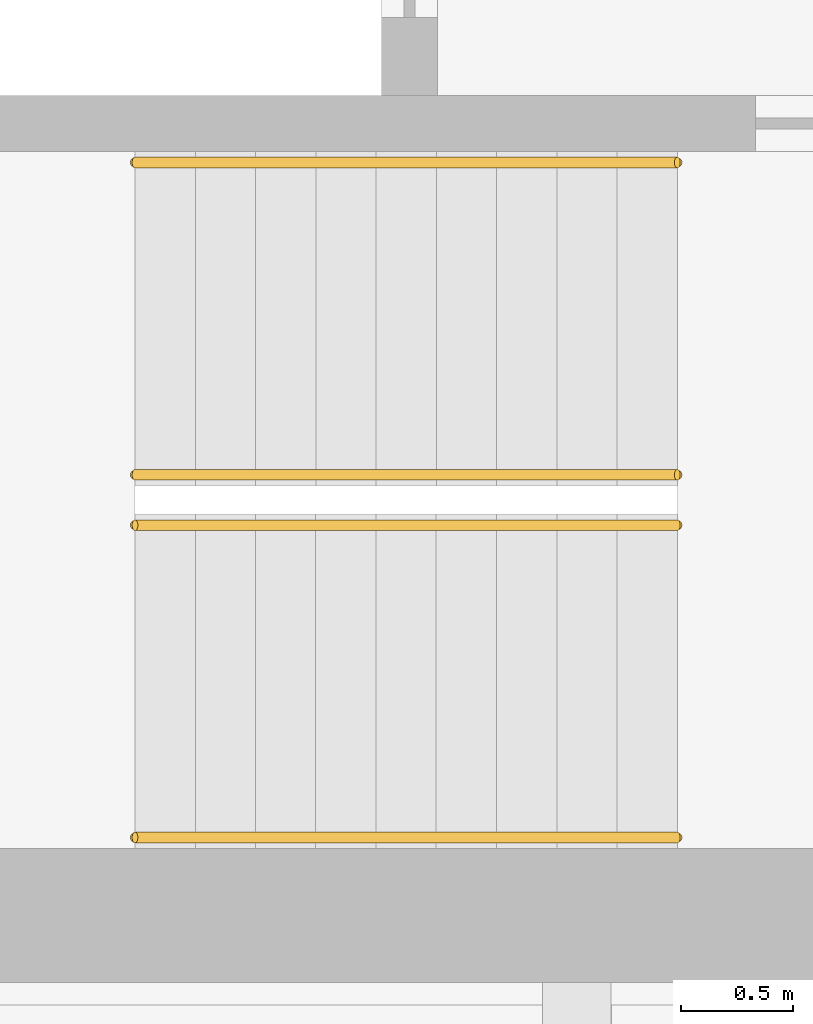
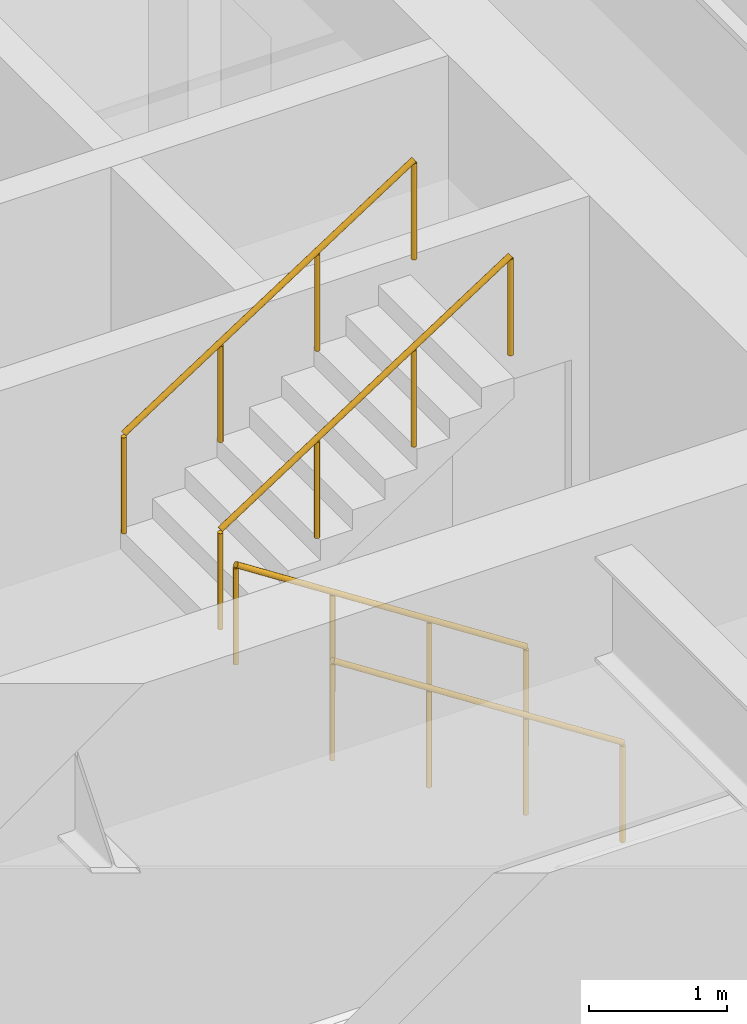
# One storey, part 17 of 21: 4 railings.
"""IFC4 building model written with IfcOpenShell, lengths in metres."""

import ifcopenshell
import ifcopenshell.guid

model = None  # the IFC model being written
_history = None  # IfcOwnerHistory: only IFC2X3 demands one
_inside = {}  # id of a spatial element -> (the spatial element, [elements in it])
_under = {}  # id of a project, library or spatial element -> (it, [spatial elements below it])
_declared = {}  # id of a project -> (the project, [libraries it declares])
_typed = {}  # id of a type object -> (the type object, [elements of that type])
_made_of = {}  # id of a material, layer set ... -> (it, [elements and type objects made of it])


def new_model(schema):
    """Start an empty IFC model of exactly this schema.

    Asked for "IFC4X3", IfcOpenShell would pick the latest addendum, in which some entities
    have other attributes; the version numbers below select the first issue.
    IFC2X3 requires an IfcOwnerHistory on every rooted entity: one is made here for all.
    """
    global model, _history
    if schema == "IFC4X3":
        model = ifcopenshell.file(schema_version=(4, 3, 0, 0))
    else:
        model = ifcopenshell.file(schema=schema)
    _inside.clear()
    _under.clear()
    _declared.clear()
    _typed.clear()
    _made_of.clear()
    _history = None
    if model.schema == "IFC2X3":
        org = make("IfcOrganization", Name="unknown")
        user = make(
            "IfcPersonAndOrganization",
            ThePerson=make("IfcPerson", FamilyName="unknown"),
            TheOrganization=org,
        )
        app = make(
            "IfcApplication",
            ApplicationDeveloper=org,
            Version="unknown",
            ApplicationFullName="unknown",
            ApplicationIdentifier="unknown",
        )
        _history = make(
            "IfcOwnerHistory",
            OwningUser=user,
            OwningApplication=app,
            ChangeAction="ADDED",
            CreationDate=0,
        )
    return model


def make(cls, **values):
    """One entity of the class cls with the attributes given. An attribute that is None is left unset."""
    return model.create_entity(
        cls, **{name: value for name, value in values.items() if value is not None}
    )


def rooted(cls, **values):
    """An entity with a GlobalId (a new one), such as an element, a storey or a relation."""
    return make(cls, GlobalId=ifcopenshell.guid.new(), OwnerHistory=_history, **values)


def si_unit(unit_type, name, prefix=None):
    """IfcSIUnit, for example si_unit("LENGTHUNIT", "METRE", prefix="MILLI")."""
    return make("IfcSIUnit", UnitType=unit_type, Prefix=prefix, Name=name)


def assignment(units):
    """IfcUnitAssignment: the units of a project."""
    return None if units is None else make("IfcUnitAssignment", Units=units)


def point(xyz):
    """IfcCartesianPoint."""
    return None if xyz is None else make("IfcCartesianPoint", Coordinates=xyz)


def direction(xyz):
    """IfcDirection."""
    return None if xyz is None else make("IfcDirection", DirectionRatios=xyz)


def frame(location, z_axis=None, x_axis=None):
    """IfcAxis2Placement3D, a coordinate frame: its origin and axes. An axis left out is left unset."""
    return make(
        "IfcAxis2Placement3D",
        Location=point(location),
        Axis=direction(z_axis),
        RefDirection=direction(x_axis),
    )


def frame_2d(location, x_axis=None):
    """IfcAxis2Placement2D, a coordinate frame in the plane: its origin and x axis."""
    return make(
        "IfcAxis2Placement2D", Location=point(location), RefDirection=direction(x_axis)
    )


def origin():
    """The frame at (0, 0, 0) with its axes left unset."""
    return frame((0.0, 0.0, 0.0))


def origin_2d():
    """The frame at (0, 0) in the plane with its x axis left unset."""
    return frame_2d((0.0, 0.0))


def place(relative_to, where):
    """IfcLocalPlacement: puts the frame where relative to a parent placement (None: the world)."""
    return make(
        "IfcLocalPlacement", PlacementRelTo=relative_to, RelativePlacement=where
    )


def context(
    kind, dimensions, precision=None, world=None, true_north=None, identifier=None
):
    """IfcGeometricRepresentationContext, for example the 3D "Model" context."""
    return make(
        "IfcGeometricRepresentationContext",
        ContextIdentifier=identifier,
        ContextType=kind,
        CoordinateSpaceDimension=dimensions,
        Precision=precision,
        WorldCoordinateSystem=world,
        TrueNorth=true_north,
    )


def subcontext(parent, identifier, kind, view, scale=None):
    """IfcGeometricRepresentationSubContext, for example "Body" below "Model"."""
    return make(
        "IfcGeometricRepresentationSubContext",
        ContextIdentifier=identifier,
        ContextType=kind,
        ParentContext=parent,
        TargetScale=scale,
        TargetView=view,
    )


def project(units=None, contexts=None):
    """IfcProject with its units and contexts."""
    return rooted(
        "IfcProject",
        Name="project",
        RepresentationContexts=contexts,
        UnitsInContext=assignment(units),
    )


def spatial(cls, under=None, at=None, **own):
    """A site, building, storey or space (cls), placed at a placement, below another one or the project."""
    s = rooted(cls, ObjectPlacement=at, **own)
    if under is not None:
        _under.setdefault(under.id(), (under, []))[1].append(s)
    return s


def profile(cls, at=None, kind="AREA", **sizes):
    """A parametric profile (cls). Its sizes go by their IFC names, for example OverallWidth=200.0."""
    return make(cls, ProfileType=kind, Position=at, **sizes)


def circle(**sizes):
    """IfcCircleProfileDef."""
    return profile("IfcCircleProfileDef", **sizes)


def extrude(swept, where, along, depth):
    """IfcExtrudedAreaSolid: the profile swept, set in the frame where, extruded along a direction by depth."""
    return make(
        "IfcExtrudedAreaSolid",
        SweptArea=swept,
        Position=where,
        ExtrudedDirection=direction(along),
        Depth=depth,
    )


def shape(context_of_items, identifier, shape_type, items):
    """IfcShapeRepresentation: the items that make up one representation, for example the "Body"."""
    return make(
        "IfcShapeRepresentation",
        ContextOfItems=context_of_items,
        RepresentationIdentifier=identifier,
        RepresentationType=shape_type,
        Items=items,
    )


def material(Name=None, Category=None):
    """IfcMaterial."""
    return make("IfcMaterial", Name=Name, Category=Category)


def made_of(thing, what):
    """Note that an element or type object is made of a material, layer set ...; save() writes the relation."""
    if what is not None:
        _made_of.setdefault(what.id(), (what, []))[1].append(thing)
    return thing


def type_object(cls, material=None, **own):
    """A type object (cls), such as IfcWallType, which elements share."""
    return made_of(rooted(cls, **own), material)


def element(
    cls,
    number,
    at=None,
    inside=None,
    cuts=None,
    type_object=None,
    material=None,
    context=None,
    identifier="Body",
    shape_type=None,
    held_by="IfcProductDefinitionShape",
    body=None,
    shapes=None,
    **own,
):
    """One element of the class cls, such as IfcWall. Its Tag is "e" and its number.

    at: its placement. inside: the storey or other place that contains it. cuts: it is an
    opening in that element (IfcRelVoidsElement). A single representation is given by context,
    identifier, shape_type and body (its items); several are given by shapes. held_by: the class
    of the entity that holds the representations. save() writes the other relations.
    """
    e = rooted(cls, Tag="e%d" % number, ObjectPlacement=at, **own)
    if body is not None:
        shapes = [shape(context, identifier, shape_type, body)]
    if shapes is not None:
        e.Representation = make(held_by, Representations=shapes)
    if inside is not None:
        _inside.setdefault(inside.id(), (inside, []))[1].append(e)
    if cuts is not None:
        rooted(
            "IfcRelVoidsElement", RelatingBuildingElement=cuts, RelatedOpeningElement=e
        )
    if type_object is not None:
        _typed.setdefault(type_object.id(), (type_object, []))[1].append(e)
    return made_of(e, material)


def aggregate(whole, parts):
    """IfcRelAggregates: a whole, such as a stair, and the parts it consists of."""
    return rooted("IfcRelAggregates", RelatingObject=whole, RelatedObjects=parts)


def save(model, path):
    """Write the relations noted so far, then the file.

    IfcRelAggregates (storeys below a building ...), IfcRelContainedInSpatialStructure (elements
    in a storey), IfcRelDefinesByType, IfcRelAssociatesMaterial and IfcRelDeclares: one each for
    every whole, place, type object, material and project.
    """
    for whole, parts in _under.values():
        aggregate(whole, parts)
    for where, things in _inside.values():
        rooted(
            "IfcRelContainedInSpatialStructure",
            RelatedElements=things,
            RelatingStructure=where,
        )
    for kind, things in _typed.values():
        rooted("IfcRelDefinesByType", RelatedObjects=things, RelatingType=kind)
    for what, things in _made_of.values():
        rooted("IfcRelAssociatesMaterial", RelatedObjects=things, RelatingMaterial=what)
    for by, libraries in _declared.values():
        rooted("IfcRelDeclares", RelatingContext=by, RelatedDefinitions=libraries)
    model.write(path)


model = new_model("IFC4")

# Units and contexts
model_context = context("Model", 3, precision=1e-05, world=origin(), true_north=direction((0.0, 1.0)))
body_context = subcontext(model_context, "Body", "Model", "MODEL_VIEW")
ifc_project = project(units=[si_unit("LENGTHUNIT", "METRE"), si_unit("AREAUNIT", "SQUARE_METRE"), si_unit("VOLUMEUNIT", "CUBIC_METRE"), si_unit("PLANEANGLEUNIT", "RADIAN"), si_unit("MASSUNIT", "GRAM", prefix="KILO")], contexts=[model_context])

# Site, building, storey
site_placement = place(None, origin())
site = spatial("IfcSite", under=ifc_project, at=site_placement, CompositionType="ELEMENT")
building_placement = place(site_placement, origin())
building = spatial("IfcBuilding", under=site, at=building_placement, Name="Msasa Ring Tower", CompositionType="ELEMENT")
storey_placement = place(building_placement, frame((0.0, 0.0, 75.5)))
storey = spatial("IfcBuildingStorey", under=building, at=storey_placement, Name="L19", CompositionType="ELEMENT", Elevation=75.5)

# Railings
ifc_material = material(Name="Stainless steel", Category="steel")
railing_type = type_object("IfcRailingType", Name="HR1 HANDRAIL 900", PredefinedType="HANDRAIL", material=ifc_material)
for number, where, name in (
    (1, (-10.800048828125, -6.39990234375, 0.175048828125), "Handrail stair SWA L19 1"),
    (2, (-10.800048828125, -5.0, 0.175048828125), "Handrail stair SWA L19 2"),
):
    element("IfcRailing", number, at=place(storey_placement, frame(where)), inside=storey, type_object=railing_type, Name=name, PredefinedType="HANDRAIL", context=body_context, shape_type="SweptSolid", body=[
        extrude(circle(Radius=0.02392578125, at=origin_2d()), frame((0.0, 0.0, 0.8759765625), z_axis=(-0.839153699163, 0.0, 0.543894354798), x_axis=(0.0, -1.0, 0.0)), (0.0, 0.0, 1.0), 2.895751953125),
        extrude(circle(Radius=0.02099609375, at=origin_2d()), origin(), (0.0, 0.0, 1.0), 0.851806640625),
        extrude(circle(Radius=0.02099609375, at=origin_2d()), frame((-0.81005859375, 0.0, 0.52490234375)), (0.0, 0.0, 1.0), 0.851806640625),
        extrude(circle(Radius=0.02099609375, at=origin_2d()), frame((-1.619873046875, 0.0, 1.050048828125)), (0.0, 0.0, 1.0), 0.851806640625),
        extrude(circle(Radius=0.02099609375, at=origin_2d()), frame((-2.429931640625, 0.0, 1.574951171875)), (0.0, 0.0, 1.0), 0.851806640625),
    ])
for number, where, name in (
    (3, (-13.22998046875, -4.77490234375, 1.925048828125), "Handrail stair SWA L19 3"),
    (4, (-13.22998046875, -3.375, 1.925048828125), "Handrail stair SWA L19 4"),
):
    element("IfcRailing", number, at=place(storey_placement, frame(where)), inside=storey, type_object=railing_type, Name=name, PredefinedType="HANDRAIL", context=body_context, shape_type="SweptSolid", body=[
        extrude(circle(Radius=0.02392578125, at=origin_2d()), frame((0.0, 0.0, 0.8759765625), z_axis=(0.839153699163, 0.0, 0.543894354798), x_axis=(0.0, 1.0, 0.0)), (0.0, 0.0, 1.0), 2.895751953125),
        extrude(circle(Radius=0.02099609375, at=origin_2d()), origin(), (0.0, 0.0, 1.0), 0.851806640625),
        extrude(circle(Radius=0.02099609375, at=origin_2d()), frame((0.81005859375, 0.0, 0.52490234375)), (0.0, 0.0, 1.0), 0.851806640625),
        extrude(circle(Radius=0.02099609375, at=origin_2d()), frame((1.619873046875, 0.0, 1.050048828125)), (0.0, 0.0, 1.0), 0.851806640625),
        extrude(circle(Radius=0.02099609375, at=origin_2d()), frame((2.429931640625, 0.0, 1.574951171875)), (0.0, 0.0, 1.0), 0.851806640625),
    ])

save(model, "model.ifc")
